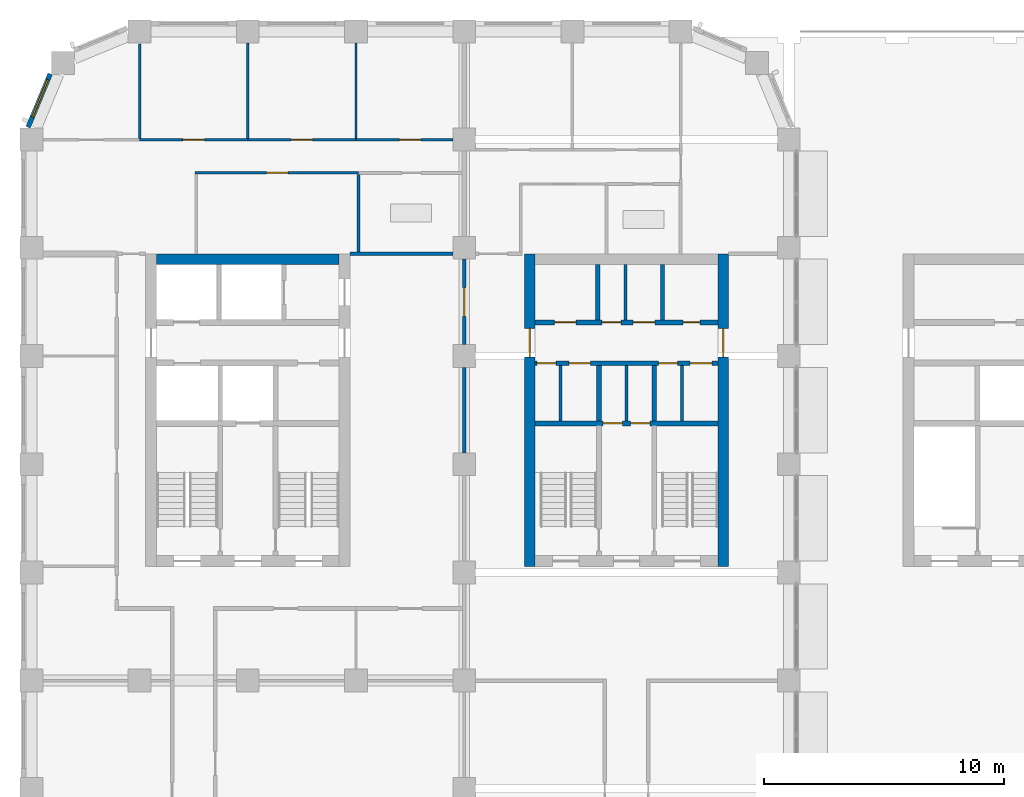
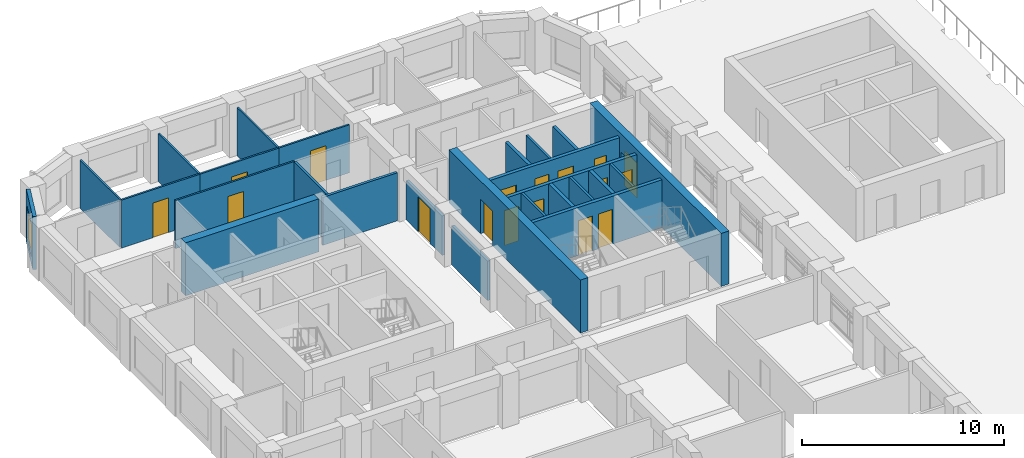
# One storey, part 10 of 15: 26 walls, 17 doors, 1 window, 18 openings.
"""IFC4 building model written with IfcOpenShell, lengths in metres."""

from ifc_helpers import new_model, si_unit, direction, frame, frame_2d, origin, place, context, subcontext, project, spatial, rectangle, extrude, material, layer, layer_set, type_object, element, fill, save


model = new_model("IFC4")

# Units and contexts
model_context = context("Model", 3, precision=1e-05, world=origin(), true_north=direction((0.0, 1.0)))
body_context = subcontext(model_context, "Body", "Model", "MODEL_VIEW")
ifc_project = project(units=[si_unit("LENGTHUNIT", "METRE"), si_unit("AREAUNIT", "SQUARE_METRE"), si_unit("VOLUMEUNIT", "CUBIC_METRE"), si_unit("PLANEANGLEUNIT", "RADIAN"), si_unit("MASSUNIT", "GRAM", prefix="KILO")], contexts=[model_context])

# Site, building, storey
site_placement = place(None, origin())
site = spatial("IfcSite", under=ifc_project, at=site_placement, CompositionType="ELEMENT")
building_placement = place(site_placement, origin())
building = spatial("IfcBuilding", under=site, at=building_placement, Name="Girih Gate Residences", CompositionType="ELEMENT")
storey_placement = place(building_placement, frame((0.0, 0.0, 176.300048828125)))
storey = spatial("IfcBuildingStorey", under=building, at=storey_placement, Name="L48", CompositionType="ELEMENT", Elevation=176.300048828125)

# Walls
ifc_material_1 = material(Name="Gypsum board on steel studs", Category="steel")
ifc_layer_1 = layer(ifc_material_1, 0.14990234375)
ifc_layer_set_1 = layer_set([ifc_layer_1], Name="Compartment wall 150 mm")
wall_type_1 = type_object("IfcWallType", Name="Compartment wall 150 mm", PredefinedType="PARTITIONING", material=ifc_layer_set_1)
wall_1_placement = place(storey_placement, frame((13.25, 40.25, 0.0), z_axis=(0.0, 0.0, 1.0), x_axis=(1.0, 0.0, 0.0)))
element("IfcWall", 1, at=wall_1_placement, inside=storey, type_object=wall_type_1, Name="L48 partition", PredefinedType="PARTITIONING", context=body_context, shape_type="SweptSolid", body=[
    extrude(rectangle(XDim=4.27490234375, YDim=0.14990234375, at=frame_2d((2.137451171875, 0.0))), origin(), (0.0, 0.0, 1.0), 2.89990234375),
])
wall_2_placement = place(storey_placement, frame((18.0, 31.97509765625, 0.0), z_axis=(0.0, 0.0, 1.0), x_axis=(0.0, 1.0, 0.0)))
element("IfcWall", 2, at=wall_2_placement, inside=storey, type_object=wall_type_1, Name="L48 partition", PredefinedType="PARTITIONING", context=body_context, shape_type="SweptSolid", body=[
    extrude(rectangle(XDim=3.5498046875, YDim=0.14990234375, at=frame_2d((1.77490234375, 0.0))), origin(), (0.0, 0.0, 1.0), 2.3798828125),
])

# Wall, opening, door
wall_3_placement = place(storey_placement, frame((18.0, 40.02490234375, 0.0), z_axis=(0.0, 0.0, 1.0), x_axis=(0.0, -1.0, 0.0)))
wall_3 = element("IfcWall", 3, at=wall_3_placement, inside=storey, type_object=wall_type_1, Name="L48 partition", PredefinedType="PARTITIONING", context=body_context, shape_type="SweptSolid", body=[
    extrude(rectangle(XDim=3.5498046875, YDim=0.14990234375, at=frame_2d((1.77490234375, 0.0))), origin(), (0.0, 0.0, 1.0), 2.3798828125),
])
opening_1_placement = place(wall_3_placement, frame((1.175048828125, 0.0, 0.0)))
opening_1 = element("IfcOpeningElement", 4, at=opening_1_placement, cuts=wall_3, Name="Opening A48-021", PredefinedType="OPENING", context=body_context, shape_type="SweptSolid", body=[
    extrude(rectangle(XDim=1.199951171875, YDim=2.10009765625, at=frame_2d((0.60009765625, 1.050048828125))), frame((0.0, 0.0849609375, 0.0), z_axis=(0.0, -1.0, 0.0), x_axis=(1.0, 0.0, 0.0)), (0.0, 0.0, 1.0), 0.169921875),
])
ifc_material_2 = material(Name="Timber, fire-rated core", Category="wood")
door_type_1 = type_object("IfcDoorType", Name="Corridor fire door 1200x2100 FD30S", OperationType="NOTDEFINED", PredefinedType="DOOR", material=ifc_material_2)
door_1_placement = place(opening_1_placement, origin())
door_1 = element("IfcDoor", 5, at=door_1_placement, inside=storey, type_object=door_type_1, Name="Door A48-021", OperationType="SINGLE_SWING_LEFT", OverallHeight=2.10009765625, OverallWidth=1.199951171875, PredefinedType="DOOR", context=body_context, shape_type="SweptSolid", body=[
    extrude(rectangle(XDim=1.199951171875, YDim=2.10009765625, at=frame_2d((0.60009765625, 1.050048828125))), frame((0.0, 0.02490234375, 0.0), z_axis=(0.0, -1.0, 0.0), x_axis=(1.0, 0.0, 0.0)), (0.0, 0.0, 1.0), 0.050048828125),
])
fill(opening_1, door_1)

# Walls
ifc_material_3 = material(Name="Concrete C60/75", Category="concrete")
ifc_layer_2 = layer(ifc_material_3, 0.449951171875)
ifc_layer_set_2 = layer_set([ifc_layer_2], Name="Core wall RC 450 Concrete C60/75")
wall_type_2 = type_object("IfcWallType", Name="Core wall RC 450 Concrete C60/75", PredefinedType="SOLIDWALL", material=ifc_layer_set_2)
wall_4_placement = place(storey_placement, frame((5.199951171875, 40.02490234375, 0.0), z_axis=(0.0, 0.0, 1.0), x_axis=(1.0, 0.0, 0.0)))
element("IfcWall", 6, at=wall_4_placement, inside=storey, type_object=wall_type_2, Name="Core wall W-N L48", PredefinedType="SOLIDWALL", context=body_context, shape_type="SweptSolid", body=[
    extrude(rectangle(XDim=7.60009765625, YDim=0.449951171875, at=frame_2d((3.800048828125, 0.0))), origin(), (0.0, 0.0, 1.0), 3.199951171875),
])
ifc_layer_3 = layer(ifc_material_1, 0.10009765625)
ifc_layer_set_3 = layer_set([ifc_layer_3], Name="Partition 100 mm")
wall_type_3 = type_object("IfcWallType", Name="Partition 100 mm", PredefinedType="PARTITIONING", material=ifc_layer_set_3)
wall_5_placement = place(storey_placement, frame((9.0, 45.050048828125, 0.0), z_axis=(0.0, 0.0, 1.0), x_axis=(0.0, 1.0, 0.0)))
element("IfcWall", 7, at=wall_5_placement, inside=storey, type_object=wall_type_3, Name="L48 partition", PredefinedType="PARTITIONING", context=body_context, shape_type="SweptSolid", body=[
    extrude(rectangle(XDim=3.974853515625, YDim=0.10009765625, at=frame_2d((1.9873046875, 0.0))), origin(), (0.0, 0.0, 1.0), 2.89990234375),
])

# Wall, opening, door
wall_6_placement = place(storey_placement, frame((4.5, 45.0, 0.0), z_axis=(0.0, 0.0, 1.0), x_axis=(1.0, 0.0, 0.0)))
wall_6 = element("IfcWall", 8, at=wall_6_placement, inside=storey, type_object=wall_type_3, Name="L48 partition", PredefinedType="PARTITIONING", context=body_context, shape_type="SweptSolid", body=[
    extrude(rectangle(XDim=4.5, YDim=0.10009765625, at=frame_2d((2.25, 0.0))), origin(), (0.0, 0.0, 1.0), 2.89990234375),
])
opening_2_placement = place(wall_6_placement, frame((1.800048828125, 0.0, 0.0)))
opening_2 = element("IfcOpeningElement", 9, at=opening_2_placement, cuts=wall_6, Name="Opening A48-008", PredefinedType="OPENING", context=body_context, shape_type="SweptSolid", body=[
    extrude(rectangle(XDim=0.89990234375, YDim=2.10009765625, at=frame_2d((0.449951171875, 1.050048828125))), frame((0.0, 0.06005859375, 0.0), z_axis=(0.0, -1.0, 0.0), x_axis=(1.0, 0.0, 0.0)), (0.0, 0.0, 1.0), 0.1201171875),
])
ifc_material_4 = material(Name="Timber", Category="wood")
door_type_2 = type_object("IfcDoorType", Name="Bedroom door 900x2100", OperationType="NOTDEFINED", PredefinedType="DOOR", material=ifc_material_4)
door_2_placement = place(opening_2_placement, origin())
door_2 = element("IfcDoor", 10, at=door_2_placement, inside=storey, type_object=door_type_2, Name="Door A48-008", OperationType="SINGLE_SWING_LEFT", OverallHeight=2.10009765625, OverallWidth=0.89990234375, PredefinedType="DOOR", context=body_context, shape_type="SweptSolid", body=[
    extrude(rectangle(XDim=0.89990234375, YDim=2.10009765625, at=frame_2d((0.449951171875, 1.050048828125))), frame((0.0, 0.02490234375, 0.0), z_axis=(0.0, -1.0, 0.0), x_axis=(1.0, 0.0, 0.0)), (0.0, 0.0, 1.0), 0.050048828125),
])
fill(opening_2, door_2)

# Walls
wall_7_placement = place(storey_placement, frame((4.5, 45.050048828125, 0.0), z_axis=(0.0, 0.0, 1.0), x_axis=(0.0, 1.0, 0.0)))
element("IfcWall", 11, at=wall_7_placement, inside=storey, type_object=wall_type_3, Name="L48 partition", PredefinedType="PARTITIONING", context=body_context, shape_type="SweptSolid", body=[
    extrude(rectangle(XDim=3.935791015625, YDim=0.10009765625, at=frame_2d((1.9677734375, 0.0))), origin(), (0.0, 0.0, 1.0), 2.89990234375),
])
wall_8_placement = place(storey_placement, frame((13.5, 45.050048828125, 0.0), z_axis=(0.0, 0.0, 1.0), x_axis=(0.0, 1.0, 0.0)))
element("IfcWall", 12, at=wall_8_placement, inside=storey, type_object=wall_type_3, Name="L48 partition", PredefinedType="PARTITIONING", context=body_context, shape_type="SweptSolid", body=[
    extrude(rectangle(XDim=3.974853515625, YDim=0.10009765625, at=frame_2d((1.9873046875, 0.0))), origin(), (0.0, 0.0, 1.0), 2.89990234375),
])

# Wall, opening, door
wall_9_placement = place(storey_placement, frame((9.0, 45.0, 0.0), z_axis=(0.0, 0.0, 1.0), x_axis=(1.0, 0.0, 0.0)))
wall_9 = element("IfcWall", 13, at=wall_9_placement, inside=storey, type_object=wall_type_3, Name="L48 partition", PredefinedType="PARTITIONING", context=body_context, shape_type="SweptSolid", body=[
    extrude(rectangle(XDim=4.5, YDim=0.10009765625, at=frame_2d((2.25, 0.0))), origin(), (0.0, 0.0, 1.0), 2.89990234375),
])
opening_3_placement = place(wall_9_placement, frame((1.800048828125, 0.0, 0.0)))
opening_3 = element("IfcOpeningElement", 14, at=opening_3_placement, cuts=wall_9, Name="Opening A48-009", PredefinedType="OPENING", context=body_context, shape_type="SweptSolid", body=[
    extrude(rectangle(XDim=0.89990234375, YDim=2.10009765625, at=frame_2d((0.449951171875, 1.050048828125))), frame((0.0, 0.06005859375, 0.0), z_axis=(0.0, -1.0, 0.0), x_axis=(1.0, 0.0, 0.0)), (0.0, 0.0, 1.0), 0.1201171875),
])
door_3_placement = place(opening_3_placement, origin())
door_3 = element("IfcDoor", 15, at=door_3_placement, inside=storey, type_object=door_type_2, Name="Door A48-009", OperationType="SINGLE_SWING_LEFT", OverallHeight=2.10009765625, OverallWidth=0.89990234375, PredefinedType="DOOR", context=body_context, shape_type="SweptSolid", body=[
    extrude(rectangle(XDim=0.89990234375, YDim=2.10009765625, at=frame_2d((0.449951171875, 1.050048828125))), frame((0.0, 0.02490234375, 0.0), z_axis=(0.0, -1.0, 0.0), x_axis=(1.0, 0.0, 0.0)), (0.0, 0.0, 1.0), 0.050048828125),
])
fill(opening_3, door_3)

wall_10_placement = place(storey_placement, frame((13.5, 45.0, 0.0), z_axis=(0.0, 0.0, 1.0), x_axis=(1.0, 0.0, 0.0)))
wall_10 = element("IfcWall", 16, at=wall_10_placement, inside=storey, type_object=wall_type_3, Name="L48 partition", PredefinedType="PARTITIONING", context=body_context, shape_type="SweptSolid", body=[
    extrude(rectangle(XDim=4.02490234375, YDim=0.10009765625, at=frame_2d((2.012451171875, 0.0))), origin(), (0.0, 0.0, 1.0), 2.89990234375),
])
opening_4_placement = place(wall_10_placement, frame((1.800048828125, 0.0, 0.0)))
opening_4 = element("IfcOpeningElement", 17, at=opening_4_placement, cuts=wall_10, Name="Opening A48-010", PredefinedType="OPENING", context=body_context, shape_type="SweptSolid", body=[
    extrude(rectangle(XDim=0.89990234375, YDim=2.10009765625, at=frame_2d((0.449951171875, 1.050048828125))), frame((0.0, 0.06005859375, 0.0), z_axis=(0.0, -1.0, 0.0), x_axis=(1.0, 0.0, 0.0)), (0.0, 0.0, 1.0), 0.1201171875),
])
door_4_placement = place(opening_4_placement, origin())
door_4 = element("IfcDoor", 18, at=door_4_placement, inside=storey, type_object=door_type_2, Name="Door A48-010", OperationType="SINGLE_SWING_RIGHT", OverallHeight=2.10009765625, OverallWidth=0.89990234375, PredefinedType="DOOR", context=body_context, shape_type="SweptSolid", body=[
    extrude(rectangle(XDim=0.89990234375, YDim=2.10009765625, at=frame_2d((0.449951171875, 1.050048828125))), frame((0.0, 0.02490234375, 0.0), z_axis=(0.0, -1.0, 0.0), x_axis=(1.0, 0.0, 0.0)), (0.0, 0.0, 1.0), 0.050048828125),
])
fill(opening_4, door_4)

wall_11_placement = place(storey_placement, frame((13.610107421875, 43.6201171875, 0.0), z_axis=(0.0, 0.0, 1.0), x_axis=(-1.0, 0.0, 0.0)))
wall_11 = element("IfcWall", 19, at=wall_11_placement, inside=storey, type_object=wall_type_3, Name="L48 partition", PredefinedType="PARTITIONING", context=body_context, shape_type="SweptSolid", body=[
    extrude(rectangle(XDim=6.81005859375, YDim=0.10009765625, at=frame_2d((3.405029296875, 0.0))), origin(), (0.0, 0.0, 1.0), 2.89990234375),
])
opening_5_placement = place(wall_11_placement, frame((2.93017578125, 0.0, 0.0)))
opening_5 = element("IfcOpeningElement", 20, at=opening_5_placement, cuts=wall_11, Name="Opening A48-011", PredefinedType="OPENING", context=body_context, shape_type="SweptSolid", body=[
    extrude(rectangle(XDim=0.89990234375, YDim=2.10009765625, at=frame_2d((0.449951171875, 1.050048828125))), frame((0.0, 0.06005859375, 0.0), z_axis=(0.0, -1.0, 0.0), x_axis=(1.0, 0.0, 0.0)), (0.0, 0.0, 1.0), 0.1201171875),
])
door_type_3 = type_object("IfcDoorType", Name="Kitchen door 900x2100", OperationType="NOTDEFINED", PredefinedType="DOOR", material=ifc_material_4)
door_5_placement = place(opening_5_placement, origin())
door_5 = element("IfcDoor", 21, at=door_5_placement, inside=storey, type_object=door_type_3, Name="Door A48-011", OperationType="SINGLE_SWING_LEFT", OverallHeight=2.10009765625, OverallWidth=0.89990234375, PredefinedType="DOOR", context=body_context, shape_type="SweptSolid", body=[
    extrude(rectangle(XDim=0.89990234375, YDim=2.10009765625, at=frame_2d((0.449951171875, 1.050048828125))), frame((0.0, 0.02490234375, 0.0), z_axis=(0.0, -1.0, 0.0), x_axis=(1.0, 0.0, 0.0)), (0.0, 0.0, 1.0), 0.050048828125),
])
fill(opening_5, door_5)

# Wall, opening, window
ifc_material_5 = material(Name="Precast concrete C50/60", Category="concrete")
ifc_layer_4 = layer(ifc_material_5, 0.06005859375, Name="Outer leaf")
ifc_material_6 = material(Name="Rigid PIR insulation")
ifc_layer_5 = layer(ifc_material_6, 0.090087890625, Name="Insulation")
ifc_material_7 = material(Name="Precast concrete C40/50", Category="concrete")
ifc_layer_6 = layer(ifc_material_7, 0.050048828125, Name="Inner leaf")
ifc_layer_set_4 = layer_set([ifc_layer_4, ifc_layer_5, ifc_layer_6], Name="Precast concrete C50/60 external wall 200")
wall_type_4 = type_object("IfcWallType", Name="Precast concrete C50/60 external wall 200", PredefinedType="SOLIDWALL", material=ifc_layer_set_4)
wall_12_placement = place(storey_placement, frame((-0.13916015625, 45.51318359375, 0.0), z_axis=(0.0, 0.0, 1.0), x_axis=(0.382680855588, 0.923880599843, 0.0)))
wall_12 = element("IfcWall", 22, at=wall_12_placement, inside=storey, type_object=wall_type_4, Name="External wall NW0013_0482.0", PredefinedType="SOLIDWALL", context=body_context, shape_type="SweptSolid", body=[
    extrude(rectangle(XDim=2.402587890625, YDim=0.199951171875, at=frame_2d((1.201171875, 0.0))), origin(), (0.0, 0.0, 1.0), 3.199951171875),
])
opening_6_placement = place(wall_12_placement, frame((0.451171875, 0.0, 0.449951171875)))
opening_6 = element("IfcOpeningElement", 23, at=opening_6_placement, cuts=wall_12, Name="Opening W-2E", PredefinedType="OPENING", context=body_context, shape_type="SweptSolid", body=[
    extrude(rectangle(XDim=1.699951171875, YDim=1.949951171875, at=frame_2d((0.85009765625, 0.97509765625))), frame((0.0, 0.10986328125, 0.0), z_axis=(0.0, -1.0, 0.0), x_axis=(1.0, 0.0, 0.0)), (0.0, 0.0, 1.0), 0.219970703125),
])
ifc_material_8 = material(Name="Double glazing in aluminium frame", Category="aluminium")
window_type = type_object("IfcWindowType", Name="Window W-2E 1700x1950", PartitioningType="SINGLE_PANEL", PredefinedType="WINDOW", material=ifc_material_8)
window_placement = place(opening_6_placement, origin())
window = element("IfcWindow", 24, at=window_placement, inside=storey, type_object=window_type, Name="Window W-2E NW0013_0482.0", OverallHeight=1.949951171875, OverallWidth=1.699951171875, PartitioningType="SINGLE_PANEL", PredefinedType="WINDOW", context=body_context, shape_type="SweptSolid", body=[
    extrude(rectangle(XDim=1.699951171875, YDim=1.949951171875, at=frame_2d((0.85009765625, 0.97509765625))), frame((0.0, 0.030029296875, 0.0), z_axis=(0.0, -1.0, 0.0), x_axis=(1.0, 0.0, 0.0)), (0.0, 0.0, 1.0), 0.06005859375),
])
fill(opening_6, window)

# Walls
ifc_material_9 = material(Name="Concrete C40/50", Category="concrete")
ifc_layer_7 = layer(ifc_material_9, 0.175048828125)
ifc_layer_set_5 = layer_set([ifc_layer_7], Name="Riser shaft wall 175")
wall_type_5 = type_object("IfcWallType", Name="Riser shaft wall 175", PredefinedType="SOLIDWALL", material=ifc_layer_set_5)
for number, where, z_axis, x_axis, name in (
    (25, (23.550048828125, 37.5, 0.0), (0.0, 0.0, 1.0), (0.0, 1.0, 0.0), "L48 C core wall V1c"),
    (26, (26.25, 37.5, 0.0), (0.0, 0.0, 1.0), (0.0, 1.0, 0.0), "L48 C core wall V2c"),
):
    element("IfcWall", number, at=place(storey_placement, frame(where, z_axis=z_axis, x_axis=x_axis)), inside=storey, type_object=wall_type_5, Name=name, PredefinedType="SOLIDWALL", context=body_context, shape_type="SweptSolid", body=[
        extrude(rectangle(XDim=2.300048828125, YDim=0.175048828125, at=frame_2d((1.14990234375, 0.0))), origin(), (0.0, 0.0, 1.0), 2.89990234375),
    ])

# Wall, openings, doors
ifc_layer_8 = layer(ifc_material_9, 0.199951171875)
ifc_layer_set_6 = layer_set([ifc_layer_8], Name="Shaft wall 200")
wall_type_6 = type_object("IfcWallType", Name="Shaft wall 200", PredefinedType="SOLIDWALL", material=ifc_layer_set_6)
wall_13_placement = place(storey_placement, frame((20.949951171875, 33.199951171875, 0.0), z_axis=(0.0, 0.0, 1.0), x_axis=(1.0, 0.0, 0.0)))
wall_13 = element("IfcWall", 27, at=wall_13_placement, inside=storey, type_object=wall_type_6, Name="L48 C core wall H1", PredefinedType="SOLIDWALL", context=body_context, shape_type="SweptSolid", body=[
    extrude(rectangle(XDim=7.60009765625, YDim=0.199951171875, at=frame_2d((3.800048828125, 0.0))), origin(), (0.0, 0.0, 1.0), 2.89990234375),
])
opening_7_placement = place(wall_13_placement, frame((2.824951171875, 0.0, 0.0)))
opening_7 = element("IfcOpeningElement", 28, at=opening_7_placement, cuts=wall_13, Name="Opening D-L48-C-011", PredefinedType="OPENING", context=body_context, shape_type="SweptSolid", body=[
    extrude(rectangle(XDim=0.800048828125, YDim=2.10009765625, at=frame_2d((0.39990234375, 1.050048828125))), frame((0.0, 0.10986328125, 0.0), z_axis=(0.0, -1.0, 0.0), x_axis=(1.0, 0.0, 0.0)), (0.0, 0.0, 1.0), 0.219970703125),
])
opening_8_placement = place(wall_13_placement, frame((3.97509765625, 0.0, 0.0)))
opening_8 = element("IfcOpeningElement", 29, at=opening_8_placement, cuts=wall_13, Name="Opening D-L48-C-012", PredefinedType="OPENING", context=body_context, shape_type="SweptSolid", body=[
    extrude(rectangle(XDim=0.800048828125, YDim=2.10009765625, at=frame_2d((0.39990234375, 1.050048828125))), frame((0.0, 0.10986328125, 0.0), z_axis=(0.0, -1.0, 0.0), x_axis=(1.0, 0.0, 0.0)), (0.0, 0.0, 1.0), 0.219970703125),
])
ifc_material_10 = material(Name="Painted steel, fire-resisting", Category="steel")
door_type_4 = type_object("IfcDoorType", Name="Fire door 800x2100", OperationType="SINGLE_SWING_LEFT", PredefinedType="DOOR", material=ifc_material_10)
door_6_placement = place(opening_7_placement, origin())
door_6 = element("IfcDoor", 30, at=door_6_placement, inside=storey, type_object=door_type_4, Name="L48 C it room door", OperationType="SINGLE_SWING_LEFT", OverallHeight=2.10009765625, OverallWidth=0.800048828125, PredefinedType="DOOR", context=body_context, shape_type="SweptSolid", body=[
    extrude(rectangle(XDim=0.800048828125, YDim=2.10009765625, at=frame_2d((0.39990234375, 1.050048828125))), frame((0.0, 0.02490234375, 0.0), z_axis=(0.0, -1.0, 0.0), x_axis=(1.0, 0.0, 0.0)), (0.0, 0.0, 1.0), 0.050048828125),
])
fill(opening_7, door_6)
door_7_placement = place(opening_8_placement, origin())
door_7 = element("IfcDoor", 31, at=door_7_placement, inside=storey, type_object=door_type_4, Name="L48 C maintenance store door", OperationType="SINGLE_SWING_LEFT", OverallHeight=2.10009765625, OverallWidth=0.800048828125, PredefinedType="DOOR", context=body_context, shape_type="SweptSolid", body=[
    extrude(rectangle(XDim=0.800048828125, YDim=2.10009765625, at=frame_2d((0.39990234375, 1.050048828125))), frame((0.0, 0.02490234375, 0.0), z_axis=(0.0, -1.0, 0.0), x_axis=(1.0, 0.0, 0.0)), (0.0, 0.0, 1.0), 0.050048828125),
])
fill(opening_8, door_7)

wall_14_placement = place(storey_placement, frame((20.949951171875, 35.699951171875, 0.0), z_axis=(0.0, 0.0, 1.0), x_axis=(1.0, 0.0, 0.0)))
wall_14 = element("IfcWall", 32, at=wall_14_placement, inside=storey, type_object=wall_type_6, Name="L48 C core wall H2", PredefinedType="SOLIDWALL", context=body_context, shape_type="SweptSolid", body=[
    extrude(rectangle(XDim=7.60009765625, YDim=0.199951171875, at=frame_2d((3.800048828125, 0.0))), origin(), (0.0, 0.0, 1.0), 2.89990234375),
])
opening_9_placement = place(wall_14_placement, frame((0.074951171875, 0.0, 0.0)))
opening_9 = element("IfcOpeningElement", 33, at=opening_9_placement, cuts=wall_14, Name="Opening D-L48-C-004", PredefinedType="OPENING", context=body_context, shape_type="SweptSolid", body=[
    extrude(rectangle(XDim=0.800048828125, YDim=2.10009765625, at=frame_2d((0.39990234375, 1.050048828125))), frame((0.0, 0.10986328125, 0.0), z_axis=(0.0, -1.0, 0.0), x_axis=(1.0, 0.0, 0.0)), (0.0, 0.0, 1.0), 0.219970703125),
])
opening_10_placement = place(wall_14_placement, frame((1.39990234375, 0.0, 0.0)))
opening_10 = element("IfcOpeningElement", 34, at=opening_10_placement, cuts=wall_14, Name="Opening D-L48-C-005", PredefinedType="OPENING", context=body_context, shape_type="SweptSolid", body=[
    extrude(rectangle(XDim=0.89990234375, YDim=2.10009765625, at=frame_2d((0.449951171875, 1.050048828125))), frame((0.0, 0.10986328125, 0.0), z_axis=(0.0, -1.0, 0.0), x_axis=(1.0, 0.0, 0.0)), (0.0, 0.0, 1.0), 0.219970703125),
])
opening_11_placement = place(wall_14_placement, frame((5.125, 0.0, 0.0)))
opening_11 = element("IfcOpeningElement", 35, at=opening_11_placement, cuts=wall_14, Name="Opening D-L48-C-006", PredefinedType="OPENING", context=body_context, shape_type="SweptSolid", body=[
    extrude(rectangle(XDim=0.800048828125, YDim=2.10009765625, at=frame_2d((0.39990234375, 1.050048828125))), frame((0.0, 0.10986328125, 0.0), z_axis=(0.0, -1.0, 0.0), x_axis=(1.0, 0.0, 0.0)), (0.0, 0.0, 1.0), 0.219970703125),
])
opening_12_placement = place(wall_14_placement, frame((6.449951171875, 0.0, 0.0)))
opening_12 = element("IfcOpeningElement", 36, at=opening_12_placement, cuts=wall_14, Name="Opening D-L48-C-007", PredefinedType="OPENING", context=body_context, shape_type="SweptSolid", body=[
    extrude(rectangle(XDim=0.89990234375, YDim=2.10009765625, at=frame_2d((0.449951171875, 1.050048828125))), frame((0.0, 0.10986328125, 0.0), z_axis=(0.0, -1.0, 0.0), x_axis=(1.0, 0.0, 0.0)), (0.0, 0.0, 1.0), 0.219970703125),
])
door_8_placement = place(opening_9_placement, origin())
door_8 = element("IfcDoor", 37, at=door_8_placement, inside=storey, type_object=door_type_4, Name="L48 C refuse store door", OperationType="SINGLE_SWING_LEFT", OverallHeight=2.10009765625, OverallWidth=0.800048828125, PredefinedType="DOOR", context=body_context, shape_type="SweptSolid", body=[
    extrude(rectangle(XDim=0.800048828125, YDim=2.10009765625, at=frame_2d((0.39990234375, 1.050048828125))), frame((0.0, 0.02490234375, 0.0), z_axis=(0.0, -1.0, 0.0), x_axis=(1.0, 0.0, 0.0)), (0.0, 0.0, 1.0), 0.050048828125),
])
fill(opening_9, door_8)
door_9_placement = place(opening_11_placement, origin())
door_9 = element("IfcDoor", 38, at=door_9_placement, inside=storey, type_object=door_type_4, Name="L48 C maintenance store door", OperationType="SINGLE_SWING_LEFT", OverallHeight=2.10009765625, OverallWidth=0.800048828125, PredefinedType="DOOR", context=body_context, shape_type="SweptSolid", body=[
    extrude(rectangle(XDim=0.800048828125, YDim=2.10009765625, at=frame_2d((0.39990234375, 1.050048828125))), frame((0.0, 0.02490234375, 0.0), z_axis=(0.0, -1.0, 0.0), x_axis=(1.0, 0.0, 0.0)), (0.0, 0.0, 1.0), 0.050048828125),
])
fill(opening_11, door_9)
door_type_5 = type_object("IfcDoorType", Name="Fire door 900x2100", OperationType="SINGLE_SWING_LEFT", PredefinedType="DOOR", material=ifc_material_10)
door_10_placement = place(opening_10_placement, origin())
door_10 = element("IfcDoor", 39, at=door_10_placement, inside=storey, type_object=door_type_5, Name="L48 C cleaners store door", OperationType="SINGLE_SWING_LEFT", OverallHeight=2.10009765625, OverallWidth=0.89990234375, PredefinedType="DOOR", context=body_context, shape_type="SweptSolid", body=[
    extrude(rectangle(XDim=0.89990234375, YDim=2.10009765625, at=frame_2d((0.449951171875, 1.050048828125))), frame((0.0, 0.02490234375, 0.0), z_axis=(0.0, -1.0, 0.0), x_axis=(1.0, 0.0, 0.0)), (0.0, 0.0, 1.0), 0.050048828125),
])
fill(opening_10, door_10)
door_11_placement = place(opening_12_placement, origin())
door_11 = element("IfcDoor", 40, at=door_11_placement, inside=storey, type_object=door_type_5, Name="L48 C electrical room door", OperationType="SINGLE_SWING_LEFT", OverallHeight=2.10009765625, OverallWidth=0.89990234375, PredefinedType="DOOR", context=body_context, shape_type="SweptSolid", body=[
    extrude(rectangle(XDim=0.89990234375, YDim=2.10009765625, at=frame_2d((0.449951171875, 1.050048828125))), frame((0.0, 0.02490234375, 0.0), z_axis=(0.0, -1.0, 0.0), x_axis=(1.0, 0.0, 0.0)), (0.0, 0.0, 1.0), 0.050048828125),
])
fill(opening_12, door_11)

wall_15_placement = place(storey_placement, frame((20.949951171875, 37.39990234375, 0.0), z_axis=(0.0, 0.0, 1.0), x_axis=(1.0, 0.0, 0.0)))
wall_15 = element("IfcWall", 41, at=wall_15_placement, inside=storey, type_object=wall_type_6, Name="L48 C core wall H3", PredefinedType="SOLIDWALL", context=body_context, shape_type="SweptSolid", body=[
    extrude(rectangle(XDim=7.60009765625, YDim=0.199951171875, at=frame_2d((3.800048828125, 0.0))), origin(), (0.0, 0.0, 1.0), 2.89990234375),
])
opening_13_placement = place(wall_15_placement, frame((6.14990234375, 0.0, 0.0)))
opening_13 = element("IfcOpeningElement", 42, at=opening_13_placement, cuts=wall_15, Name="Opening D-L48-C-003", PredefinedType="OPENING", context=body_context, shape_type="SweptSolid", body=[
    extrude(rectangle(XDim=0.699951171875, YDim=2.10009765625, at=frame_2d((0.35009765625, 1.050048828125))), frame((0.0, 0.10986328125, 0.0), z_axis=(0.0, -1.0, 0.0), x_axis=(1.0, 0.0, 0.0)), (0.0, 0.0, 1.0), 0.219970703125),
])
opening_14_placement = place(wall_15_placement, frame((0.800048828125, 0.0, 0.0)))
opening_14 = element("IfcOpeningElement", 43, at=opening_14_placement, cuts=wall_15, Name="Opening D-L48-C-008", PredefinedType="OPENING", context=body_context, shape_type="SweptSolid", body=[
    extrude(rectangle(XDim=0.89990234375, YDim=2.10009765625, at=frame_2d((0.449951171875, 1.050048828125))), frame((0.0, 0.10986328125, 0.0), z_axis=(0.0, -1.0, 0.0), x_axis=(1.0, 0.0, 0.0)), (0.0, 0.0, 1.0), 0.219970703125),
])
opening_15_placement = place(wall_15_placement, frame((2.77490234375, 0.0, 0.0)))
opening_15 = element("IfcOpeningElement", 44, at=opening_15_placement, cuts=wall_15, Name="Opening D-L48-C-009", PredefinedType="OPENING", context=body_context, shape_type="SweptSolid", body=[
    extrude(rectangle(XDim=0.800048828125, YDim=2.10009765625, at=frame_2d((0.39990234375, 1.050048828125))), frame((0.0, 0.10986328125, 0.0), z_axis=(0.0, -1.0, 0.0), x_axis=(1.0, 0.0, 0.0)), (0.0, 0.0, 1.0), 0.219970703125),
])
opening_16_placement = place(wall_15_placement, frame((4.074951171875, 0.0, 0.0)))
opening_16 = element("IfcOpeningElement", 45, at=opening_16_placement, cuts=wall_15, Name="Opening D-L48-C-010", PredefinedType="OPENING", context=body_context, shape_type="SweptSolid", body=[
    extrude(rectangle(XDim=0.89990234375, YDim=2.10009765625, at=frame_2d((0.449951171875, 1.050048828125))), frame((0.0, 0.10986328125, 0.0), z_axis=(0.0, -1.0, 0.0), x_axis=(1.0, 0.0, 0.0)), (0.0, 0.0, 1.0), 0.219970703125),
])
door_12_placement = place(opening_15_placement, origin())
door_12 = element("IfcDoor", 46, at=door_12_placement, inside=storey, type_object=door_type_4, Name="L48 C housekeeping store door", OperationType="SINGLE_SWING_LEFT", OverallHeight=2.10009765625, OverallWidth=0.800048828125, PredefinedType="DOOR", context=body_context, shape_type="SweptSolid", body=[
    extrude(rectangle(XDim=0.800048828125, YDim=2.10009765625, at=frame_2d((0.39990234375, 1.050048828125))), frame((0.0, 0.02490234375, 0.0), z_axis=(0.0, -1.0, 0.0), x_axis=(1.0, 0.0, 0.0)), (0.0, 0.0, 1.0), 0.050048828125),
])
fill(opening_15, door_12)
door_13_placement = place(opening_14_placement, origin())
door_13 = element("IfcDoor", 47, at=door_13_placement, inside=storey, type_object=door_type_5, Name="L48 C linen store door", OperationType="SINGLE_SWING_LEFT", OverallHeight=2.10009765625, OverallWidth=0.89990234375, PredefinedType="DOOR", context=body_context, shape_type="SweptSolid", body=[
    extrude(rectangle(XDim=0.89990234375, YDim=2.10009765625, at=frame_2d((0.449951171875, 1.050048828125))), frame((0.0, 0.02490234375, 0.0), z_axis=(0.0, -1.0, 0.0), x_axis=(1.0, 0.0, 0.0)), (0.0, 0.0, 1.0), 0.050048828125),
])
fill(opening_14, door_13)
door_14_placement = place(opening_16_placement, origin())
door_14 = element("IfcDoor", 48, at=door_14_placement, inside=storey, type_object=door_type_5, Name="L48 C refuse store door", OperationType="SINGLE_SWING_LEFT", OverallHeight=2.10009765625, OverallWidth=0.89990234375, PredefinedType="DOOR", context=body_context, shape_type="SweptSolid", body=[
    extrude(rectangle(XDim=0.89990234375, YDim=2.10009765625, at=frame_2d((0.449951171875, 1.050048828125))), frame((0.0, 0.02490234375, 0.0), z_axis=(0.0, -1.0, 0.0), x_axis=(1.0, 0.0, 0.0)), (0.0, 0.0, 1.0), 0.050048828125),
])
fill(opening_16, door_14)
door_type_6 = type_object("IfcDoorType", Name="Riser access door 700x2100", OperationType="SINGLE_SWING_LEFT", PredefinedType="DOOR", material=ifc_material_10)
door_15_placement = place(opening_13_placement, origin())
door_15 = element("IfcDoor", 49, at=door_15_placement, inside=storey, type_object=door_type_6, Name="L48 C riser room door", OperationType="SINGLE_SWING_LEFT", OverallHeight=2.10009765625, OverallWidth=0.699951171875, PredefinedType="DOOR", context=body_context, shape_type="SweptSolid", body=[
    extrude(rectangle(XDim=0.699951171875, YDim=2.10009765625, at=frame_2d((0.35009765625, 1.050048828125))), frame((0.0, 0.02490234375, 0.0), z_axis=(0.0, -1.0, 0.0), x_axis=(1.0, 0.0, 0.0)), (0.0, 0.0, 1.0), 0.050048828125),
])
fill(opening_13, door_15)

# Walls
for number, where, z_axis, x_axis, name in (
    (50, (23.60009765625, 33.300048828125, 0.0), (0.0, 0.0, 1.0), (0.0, 1.0, 0.0), "L48 C core wall V1b"),
    (51, (25.89990234375, 33.300048828125, 0.0), (0.0, 0.0, 1.0), (0.0, 1.0, 0.0), "L48 C core wall V2b"),
):
    element("IfcWall", number, at=place(storey_placement, frame(where, z_axis=z_axis, x_axis=x_axis)), inside=storey, type_object=wall_type_6, Name=name, PredefinedType="SOLIDWALL", context=body_context, shape_type="SweptSolid", body=[
        extrude(rectangle(XDim=2.300048828125, YDim=0.199951171875, at=frame_2d((1.14990234375, 0.0))), origin(), (0.0, 0.0, 1.0), 2.89990234375),
    ])

# Wall, opening, door
ifc_layer_9 = layer(ifc_material_9, 0.449951171875)
ifc_layer_set_7 = layer_set([ifc_layer_9], Name="Stair core wall RC 450 Concrete C40/50")
wall_type_7 = type_object("IfcWallType", Name="Stair core wall RC 450 Concrete C40/50", PredefinedType="SOLIDWALL", material=ifc_layer_set_7)
wall_16_placement = place(storey_placement, frame((20.72509765625, 27.25, 0.0), z_axis=(0.0, 0.0, 1.0), x_axis=(0.0, 1.0, 0.0)))
wall_16 = element("IfcWall", 52, at=wall_16_placement, inside=storey, type_object=wall_type_7, Name="Stair core wall C-W L48", PredefinedType="SOLIDWALL", context=body_context, shape_type="SweptSolid", body=[
    extrude(rectangle(XDim=13.0, YDim=0.449951171875, at=frame_2d((6.5, 0.0))), origin(), (0.0, 0.0, 1.0), 3.199951171875),
])
opening_17_placement = place(wall_16_placement, frame((8.699951171875, 0.0, 0.0)))
opening_17 = element("IfcOpeningElement", 53, at=opening_17_placement, cuts=wall_16, Name="Opening D-L48-C-016", PredefinedType="OPENING", context=body_context, shape_type="SweptSolid", body=[
    extrude(rectangle(XDim=1.199951171875, YDim=2.10009765625, at=frame_2d((0.60009765625, 1.050048828125))), frame((0.0, 0.23486328125, 0.0), z_axis=(0.0, -1.0, 0.0), x_axis=(1.0, 0.0, 0.0)), (0.0, 0.0, 1.0), 0.469970703125),
])
door_type_7 = type_object("IfcDoorType", Name="Fire door 1200x2100", OperationType="SINGLE_SWING_LEFT", PredefinedType="DOOR", material=ifc_material_10)
door_16_placement = place(opening_17_placement, origin())
door_16 = element("IfcDoor", 54, at=door_16_placement, inside=storey, type_object=door_type_7, Name="L48 C core door ll-w", OperationType="SINGLE_SWING_LEFT", OverallHeight=2.10009765625, OverallWidth=1.199951171875, PredefinedType="DOOR", context=body_context, shape_type="SweptSolid", body=[
    extrude(rectangle(XDim=1.199951171875, YDim=2.10009765625, at=frame_2d((0.60009765625, 1.050048828125))), frame((0.0, 0.02490234375, 0.0), z_axis=(0.0, -1.0, 0.0), x_axis=(1.0, 0.0, 0.0)), (0.0, 0.0, 1.0), 0.050048828125),
])
fill(opening_17, door_16)

wall_17_placement = place(storey_placement, frame((28.77490234375, 27.25, 0.0), z_axis=(0.0, 0.0, 1.0), x_axis=(0.0, 1.0, 0.0)))
wall_17 = element("IfcWall", 55, at=wall_17_placement, inside=storey, type_object=wall_type_7, Name="Stair core wall C-E L48", PredefinedType="SOLIDWALL", context=body_context, shape_type="SweptSolid", body=[
    extrude(rectangle(XDim=13.0, YDim=0.449951171875, at=frame_2d((6.5, 0.0))), origin(), (0.0, 0.0, 1.0), 3.199951171875),
])
opening_18_placement = place(wall_17_placement, frame((8.699951171875, 0.0, 0.0)))
opening_18 = element("IfcOpeningElement", 56, at=opening_18_placement, cuts=wall_17, Name="Opening D-L48-C-017", PredefinedType="OPENING", context=body_context, shape_type="SweptSolid", body=[
    extrude(rectangle(XDim=1.199951171875, YDim=2.10009765625, at=frame_2d((0.60009765625, 1.050048828125))), frame((0.0, 0.23486328125, 0.0), z_axis=(0.0, -1.0, 0.0), x_axis=(1.0, 0.0, 0.0)), (0.0, 0.0, 1.0), 0.469970703125),
])
door_17_placement = place(opening_18_placement, origin())
door_17 = element("IfcDoor", 57, at=door_17_placement, inside=storey, type_object=door_type_7, Name="L48 C core door ll-e", OperationType="SINGLE_SWING_LEFT", OverallHeight=2.10009765625, OverallWidth=1.199951171875, PredefinedType="DOOR", context=body_context, shape_type="SweptSolid", body=[
    extrude(rectangle(XDim=1.199951171875, YDim=2.10009765625, at=frame_2d((0.60009765625, 1.050048828125))), frame((0.0, 0.02490234375, 0.0), z_axis=(0.0, -1.0, 0.0), x_axis=(1.0, 0.0, 0.0)), (0.0, 0.0, 1.0), 0.050048828125),
])
fill(opening_18, door_17)

# Walls
ifc_material_11 = material(Name="Calcium silicate blockwork", Category="masonry")
ifc_layer_10 = layer(ifc_material_11, 0.125)
ifc_layer_set_8 = layer_set([ifc_layer_10], Name="Store partition 125")
wall_type_8 = type_object("IfcWallType", Name="Store partition 125", PredefinedType="PARTITIONING", material=ifc_layer_set_8)
for number, where, z_axis, x_axis, name in (
    (58, (22.0, 33.300048828125, 0.0), (0.0, 0.0, 1.0), (0.0, 1.0, 0.0), "L48 C core wall SHR1"),
    (59, (27.050048828125, 33.300048828125, 0.0), (0.0, 0.0, 1.0), (0.0, 1.0, 0.0), "L48 C core wall SHR2"),
    (60, (24.699951171875, 37.5, 0.0), (0.0, 0.0, 1.0), (0.0, 1.0, 0.0), "L48 C core wall SLR2"),
    (61, (24.75, 33.300048828125, 0.0), (0.0, 0.0, 1.0), (0.0, 1.0, 0.0), "L48 C core wall SFFS"),
):
    element("IfcWall", number, at=place(storey_placement, frame(where, z_axis=z_axis, x_axis=x_axis)), inside=storey, type_object=wall_type_8, Name=name, PredefinedType="PARTITIONING", context=body_context, shape_type="SweptSolid", body=[
        extrude(rectangle(XDim=2.300048828125, YDim=0.125, at=frame_2d((1.14990234375, 0.0))), origin(), (0.0, 0.0, 1.0), 2.89990234375),
    ])
ifc_layer_11 = layer(ifc_material_1, 0.125)
ifc_layer_set_9 = layer_set([ifc_layer_11], Name="Wet room wall 125 mm")
wall_type_9 = type_object("IfcWallType", Name="Wet room wall 125 mm", PredefinedType="PARTITIONING", material=ifc_layer_set_9)
wall_18_placement = place(storey_placement, frame((13.610107421875, 40.324951171875, 0.0), z_axis=(0.0, 0.0, 1.0), x_axis=(0.0, 1.0, 0.0)))
element("IfcWall", 62, at=wall_18_placement, inside=storey, type_object=wall_type_9, Name="L48 partition", PredefinedType="PARTITIONING", context=body_context, shape_type="SweptSolid", body=[
    extrude(rectangle(XDim=3.232666015625, YDim=0.125, at=frame_2d((1.6162109375, 0.0))), origin(), (0.0, 0.0, 1.0), 2.89990234375),
])

save(model, "model.ifc")
